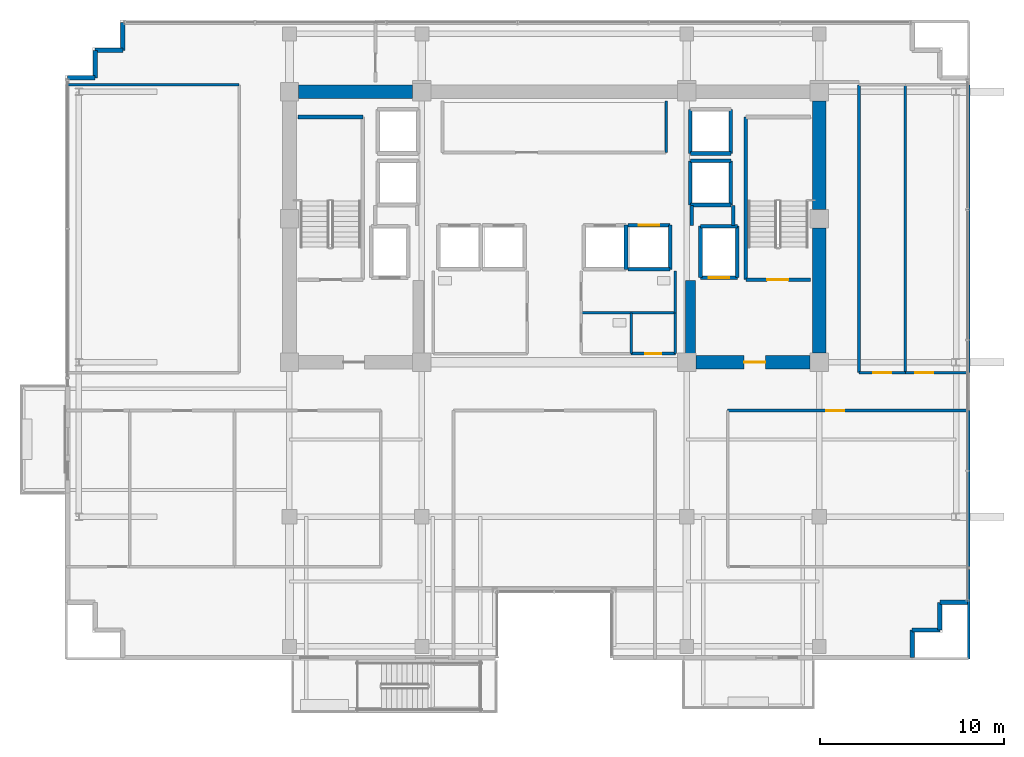
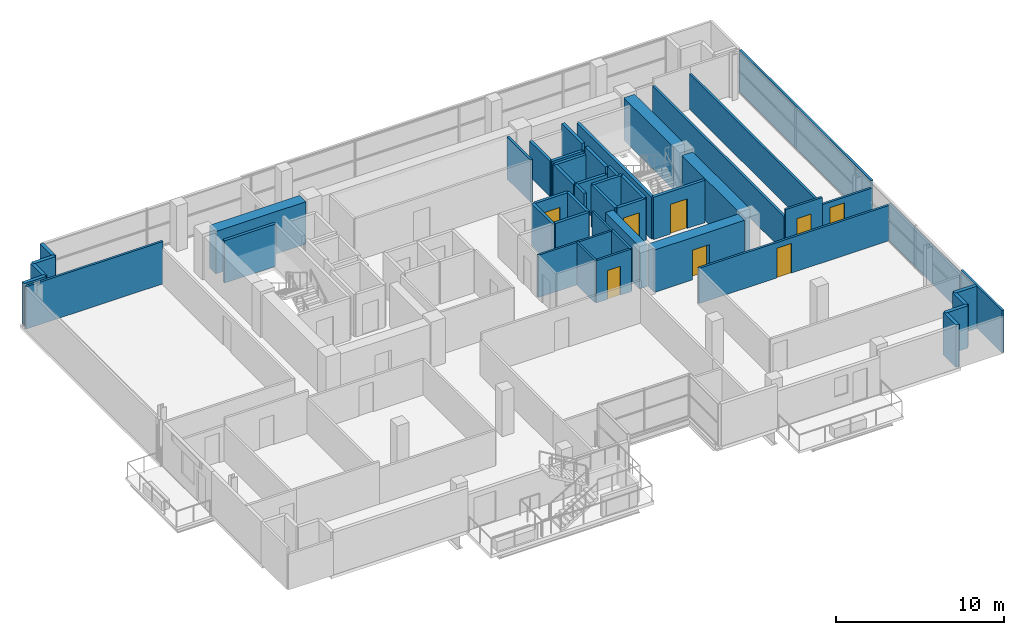
# One storey, part 18 of 23: 48 walls, 8 doors, 8 openings.
"""IFC4 building model written with IfcOpenShell, lengths in metres."""

from ifc_helpers import new_model, si_unit, direction, frame, frame_2d, origin, place, context, subcontext, project, spatial, rectangle, extrude, source, transform, mapped, material, layer, layer_set, type_object, element, fill, save


model = new_model("IFC4")

# Units and contexts
model_context = context("Model", 3, precision=1e-05, world=origin(), true_north=direction((0.0, 1.0)))
body_context = subcontext(model_context, "Body", "Model", "MODEL_VIEW")
ifc_project = project(units=[si_unit("LENGTHUNIT", "METRE"), si_unit("AREAUNIT", "SQUARE_METRE"), si_unit("VOLUMEUNIT", "CUBIC_METRE"), si_unit("PLANEANGLEUNIT", "RADIAN"), si_unit("MASSUNIT", "GRAM", prefix="KILO")], contexts=[model_context])

# Site, building, storey
site_placement = place(None, origin())
site = spatial("IfcSite", under=ifc_project, at=site_placement, CompositionType="ELEMENT")
building_placement = place(site_placement, origin())
building = spatial("IfcBuilding", under=site, at=building_placement, Name="Zarnakvel Exchange Tower", CompositionType="ELEMENT")
storey_placement = place(building_placement, frame((0.0, 0.0, 146.199951171875)))
storey = spatial("IfcBuildingStorey", under=building, at=storey_placement, Name="L40", CompositionType="ELEMENT", Elevation=146.199951171875)

# Walls
ifc_material_1 = material(Name="Concrete C60/75", Category="concrete")
ifc_layer_1 = layer(ifc_material_1, 0.75)
ifc_layer_set_1 = layer_set([ifc_layer_1], Name="Concrete C60/75")
wall_type_1 = type_object("IfcWallType", Name="CW-C3", PredefinedType="SHEAR", material=ifc_layer_set_1)
wall_1_placement = place(storey_placement, frame((-13.89990234375, 13.5, 0.0), z_axis=(0.0, 0.0, 1.0), x_axis=(1.0, 0.0, 0.0)))
element("IfcWall", 1, at=wall_1_placement, inside=storey, type_object=wall_type_1, Name="L40 Rear Core Shear Wall N1 (CW-C3)", PredefinedType="SHEAR", context=body_context, shape_type="SweptSolid", body=[
    extrude(rectangle(XDim=6.199951171875, YDim=0.75, at=frame_2d((3.10009765625, 0.0))), origin(), (0.0, 0.0, 1.0), 3.074951171875),
])
wall_2_placement = place(storey_placement, frame((14.39990234375, -0.699951171875, 0.0), z_axis=(0.0, 0.0, 1.0), x_axis=(0.0, 1.0, 0.0)))
element("IfcWall", 2, at=wall_2_placement, inside=storey, type_object=wall_type_1, Name="L40 Rear Core Shear Wall E1 (CW-C3)", PredefinedType="SHEAR", context=body_context, shape_type="SweptSolid", body=[
    extrude(rectangle(XDim=6.800048828125, YDim=0.75, at=frame_2d((3.39990234375, 0.0))), origin(), (0.0, 0.0, 1.0), 3.074951171875),
])
wall_3_placement = place(storey_placement, frame((14.39990234375, 7.10009765625, 0.0), z_axis=(0.0, 0.0, 1.0), x_axis=(0.0, 1.0, 0.0)))
element("IfcWall", 3, at=wall_3_placement, inside=storey, type_object=wall_type_1, Name="L40 Rear Core Shear Wall E2 (CW-C3)", PredefinedType="SHEAR", context=body_context, shape_type="SweptSolid", body=[
    extrude(rectangle(XDim=5.89990234375, YDim=0.75, at=frame_2d((2.949951171875, 0.0))), origin(), (0.0, 0.0, 1.0), 3.074951171875),
])

# Wall, opening, door
wall_4_placement = place(storey_placement, frame((13.89990234375, -1.199951171875, 0.0), z_axis=(0.0, 0.0, 1.0), x_axis=(-1.0, 0.0, 0.0)))
wall_4 = element("IfcWall", 4, at=wall_4_placement, inside=storey, type_object=wall_type_1, Name="L40 Rear Core Shear Wall SE (CW-C3)", PredefinedType="SHEAR", context=body_context, shape_type="SweptSolid", body=[
    extrude(rectangle(XDim=6.199951171875, YDim=0.75, at=frame_2d((3.10009765625, 0.0))), origin(), (0.0, 0.0, 1.0), 3.074951171875),
])
opening_1_placement = place(wall_4_placement, frame((2.425048828125, 0.0, 0.0)))
opening_1 = element("IfcOpeningElement", 5, at=opening_1_placement, cuts=wall_4, Name="Opening D-L40-04", PredefinedType="OPENING", context=body_context, shape_type="SweptSolid", body=[
    extrude(rectangle(XDim=1.14990234375, YDim=2.14990234375, at=frame_2d((0.574951171875, 1.074951171875))), frame((0.0, 0.385009765625, 0.0), z_axis=(0.0, -1.0, 0.0), x_axis=(1.0, 0.0, 0.0)), (0.0, 0.0, 1.0), 0.77001953125),
])
ifc_material_2 = material(Name="Painted Galvanised Steel S355", Category="steel")
door_type_1 = type_object("IfcDoorType", Name="DT-04", OperationType="NOTDEFINED", PredefinedType="DOOR", material=ifc_material_2)
shared_shape_1 = source(origin(), body_context, "Body", "SweptSolid", [
    extrude(rectangle(XDim=1.14990234375, YDim=2.14990234375, at=frame_2d((0.574951171875, 1.074951171875))), frame((0.0, 0.02490234375, 0.0), z_axis=(0.0, -1.0, 0.0), x_axis=(1.0, 0.0, 0.0)), (0.0, 0.0, 1.0), 0.050048828125),
])
door_1_placement = place(opening_1_placement, origin())
door_1 = element("IfcDoor", 6, at=door_1_placement, inside=storey, type_object=door_type_1, Name="L40 Firefighting Lobby East Door D-L40-04", OperationType="SINGLE_SWING_LEFT", OverallHeight=2.14990234375, OverallWidth=1.14990234375, PredefinedType="DOOR", context=body_context, shape_type="MappedRepresentation", body=[
    mapped(shared_shape_1, transform((0.0, 0.0, 0.0), x_axis=(1.0, 0.0, 0.0), y_axis=(0.0, 1.0, 0.0), z_axis=(0.0, 0.0, 1.0), scale=1.0)),
])
fill(opening_1, door_1)

# Walls
ifc_layer_2 = layer(ifc_material_1, 0.550048828125)
ifc_layer_set_2 = layer_set([ifc_layer_2], Name="Concrete C60/75")
wall_type_2 = type_object("IfcWallType", Name="CW-C4", PredefinedType="SHEAR", material=ifc_layer_set_2)
wall_5_placement = place(storey_placement, frame((7.39990234375, -0.824951171875, 0.0), z_axis=(0.0, 0.0, 1.0), x_axis=(0.0, 1.0, 0.0)))
element("IfcWall", 7, at=wall_5_placement, inside=storey, type_object=wall_type_2, Name="L40 Rear Core Shear Wall IE (CW-C4)", PredefinedType="SHEAR", context=body_context, shape_type="SweptSolid", body=[
    extrude(rectangle(XDim=4.074951171875, YDim=0.550048828125, at=frame_2d((2.03759765625, 0.0))), origin(), (0.0, 0.0, 1.0), 3.074951171875),
])
ifc_material_3 = material(Name="Precast concrete C40/50", Category="concrete")
ifc_layer_3 = layer(ifc_material_3, 0.239990234375)
ifc_layer_set_3 = layer_set([ifc_layer_3], Name="Precast concrete C40/50")
wall_type_3 = type_object("IfcWallType", Name="EW-02", PredefinedType="SOLIDWALL", material=ifc_layer_set_3)
for number, where, z_axis, x_axis, name in (
    (8, (-24.9599609375, 14.260009765625, 0.0), (0.0, 0.0, 1.0), (-1.0, 0.0, 0.0), "L40 Exterior Precast Spandrel Wall EWC-L40-03 (EW-02)"),
    (9, (-24.9599609375, 15.760009765625, 0.0), (0.0, 0.0, 1.0), (0.0, -1.0, 0.0), "L40 Exterior Precast Spandrel Wall EWC-L40-04 (EW-02)"),
    (10, (-23.4599609375, 15.760009765625, 0.0), (0.0, 0.0, 1.0), (-1.0, 0.0, 0.0), "L40 Exterior Precast Spandrel Wall EWC-L40-05 (EW-02)"),
    (11, (-23.4599609375, 17.260009765625, 0.0), (0.0, 0.0, 1.0), (0.0, -1.0, 0.0), "L40 Exterior Precast Spandrel Wall EWC-L40-06 (EW-02)"),
    (12, (20.9599609375, -14.260009765625, 0.0), (0.0, 0.0, 1.0), (1.0, 0.0, 0.0), "L40 Exterior Precast Spandrel Wall EWC-L40-11 (EW-02)"),
    (13, (20.9599609375, -15.760009765625, 0.0), (0.0, 0.0, 1.0), (0.0, 1.0, 0.0), "L40 Exterior Precast Spandrel Wall EWC-L40-12 (EW-02)"),
    (14, (19.4599609375, -15.760009765625, 0.0), (0.0, 0.0, 1.0), (1.0, 0.0, 0.0), "L40 Exterior Precast Spandrel Wall EWC-L40-13 (EW-02)"),
    (15, (19.4599609375, -17.260009765625, 0.0), (0.0, 0.0, 1.0), (0.0, 1.0, 0.0), "L40 Exterior Precast Spandrel Wall EWC-L40-14 (EW-02)"),
):
    element("IfcWall", number, at=place(storey_placement, frame(where, z_axis=z_axis, x_axis=x_axis)), inside=storey, type_object=wall_type_3, Name=name, PredefinedType="SOLIDWALL", context=body_context, shape_type="SweptSolid", body=[
        extrude(rectangle(XDim=1.5, YDim=0.239990234375, at=frame_2d((0.75, 0.0))), origin(), (0.0, 0.0, 1.0), 3.074951171875),
    ])
ifc_material_4 = material(Name="Fire-Rated Gypsum Stud Partition", Category="gypsum")
ifc_layer_4 = layer(ifc_material_4, 0.14990234375)
ifc_layer_set_4 = layer_set([ifc_layer_4], Name="Fire-Rated Gypsum Stud Partition")
wall_type_4 = type_object("IfcWallType", Name="PT-01", PredefinedType="PARTITIONING", material=ifc_layer_set_4)
wall_6_placement = place(storey_placement, frame((6.080078125, 13.0, 0.0), z_axis=(0.0, 0.0, 1.0), x_axis=(0.0, -1.0, 0.0)))
element("IfcWall", 16, at=wall_6_placement, inside=storey, type_object=wall_type_4, Name="L40 Partition Wall PWALL-L40-013 (PT-01)", PredefinedType="PARTITIONING", context=body_context, shape_type="SweptSolid", body=[
    extrude(rectangle(XDim=2.800048828125, YDim=0.14990234375, at=frame_2d((1.39990234375, 0.0))), origin(), (0.0, 0.0, 1.0), 3.074951171875),
])

# Wall, opening, door
wall_7_placement = place(storey_placement, frame((6.580078125, -0.72998046875, 0.0), z_axis=(0.0, 0.0, 1.0), x_axis=(-1.0, 0.0, 0.0)))
wall_7 = element("IfcWall", 17, at=wall_7_placement, inside=storey, type_object=wall_type_4, Name="L40 Partition Wall PWALL-L40-023 (PT-01)", PredefinedType="PARTITIONING", context=body_context, shape_type="SweptSolid", body=[
    extrude(rectangle(XDim=2.400146484375, YDim=0.14990234375, at=frame_2d((1.2001953125, 0.0))), origin(), (0.0, 0.0, 1.0), 3.074951171875),
])
opening_2_placement = place(wall_7_placement, frame((0.760009765625, 0.0, 0.0)))
opening_2 = element("IfcOpeningElement", 18, at=opening_2_placement, cuts=wall_7, Name="Opening D-L40-09", PredefinedType="OPENING", context=body_context, shape_type="SweptSolid", body=[
    extrude(rectangle(XDim=0.8798828125, YDim=2.10009765625, at=frame_2d((0.43994140625, 1.050048828125))), frame((0.0, 0.0849609375, 0.0), z_axis=(0.0, -1.0, 0.0), x_axis=(1.0, 0.0, 0.0)), (0.0, 0.0, 1.0), 0.169921875),
])
door_type_2 = type_object("IfcDoorType", Name="DT-08", OperationType="NOTDEFINED", PredefinedType="DOOR", material=ifc_material_2)
shared_shape_2 = source(origin(), body_context, "Body", "SweptSolid", [
    extrude(rectangle(XDim=0.8798828125, YDim=2.10009765625, at=frame_2d((0.43994140625, 1.050048828125))), frame((0.0, 0.02490234375, 0.0), z_axis=(0.0, -1.0, 0.0), x_axis=(1.0, 0.0, 0.0)), (0.0, 0.0, 1.0), 0.050048828125),
])
door_2_placement = place(opening_2_placement, origin())
door_2 = element("IfcDoor", 19, at=door_2_placement, inside=storey, type_object=door_type_2, Name="L40 Cleaners Store Door D-L40-09", OperationType="SINGLE_SWING_RIGHT", OverallHeight=2.10009765625, OverallWidth=0.8798828125, PredefinedType="DOOR", context=body_context, shape_type="MappedRepresentation", body=[
    mapped(shared_shape_2, transform((0.0, 0.0, 0.0), x_axis=(1.0, 0.0, 0.0), y_axis=(0.0, 1.0, 0.0), z_axis=(0.0, 0.0, 1.0), scale=1.0)),
])
fill(opening_2, door_2)

# Wall
wall_8_placement = place(storey_placement, frame((6.580078125, 1.47998046875, 0.0), z_axis=(0.0, 0.0, 1.0), x_axis=(0.0, -1.0, 0.0)))
element("IfcWall", 20, at=wall_8_placement, inside=storey, type_object=wall_type_4, Name="L40 Partition Wall PWALL-L40-024 (PT-01)", PredefinedType="PARTITIONING", context=body_context, shape_type="SweptSolid", body=[
    extrude(rectangle(XDim=2.2099609375, YDim=0.14990234375, at=frame_2d((1.10498046875, 0.0))), origin(), (0.0, 0.0, 1.0), 3.074951171875),
])

# Wall, opening, door
wall_9_placement = place(storey_placement, frame((9.429931640625, -3.830078125, 0.0), z_axis=(0.0, 0.0, 1.0), x_axis=(1.0, 0.0, 0.0)))
wall_9 = element("IfcWall", 21, at=wall_9_placement, inside=storey, type_object=wall_type_4, Name="L40 Partition Wall PWALL-L40-039 (PT-01)", PredefinedType="PARTITIONING", context=body_context, shape_type="SweptSolid", body=[
    extrude(rectangle(XDim=13.10009765625, YDim=0.14990234375, at=frame_2d((6.550048828125, 0.0))), origin(), (0.0, 0.0, 1.0), 2.56494140625),
])
opening_3_placement = place(wall_9_placement, frame((5.360107421875, 0.0, 0.0)))
opening_3 = element("IfcOpeningElement", 22, at=opening_3_placement, cuts=wall_9, Name="Opening D-L40-14", PredefinedType="OPENING", context=body_context, shape_type="SweptSolid", body=[
    extrude(rectangle(XDim=0.97998046875, YDim=2.14990234375, at=frame_2d((0.489990234375, 1.074951171875))), frame((0.0, 0.0849609375, 0.0), z_axis=(0.0, -1.0, 0.0), x_axis=(1.0, 0.0, 0.0)), (0.0, 0.0, 1.0), 0.169921875),
])
ifc_material_5 = material(Name="Timber Acoustic Veneer", Category="wood")
door_type_3 = type_object("IfcDoorType", Name="DT-05", OperationType="NOTDEFINED", PredefinedType="DOOR", material=ifc_material_5)
shared_shape_3 = source(origin(), body_context, "Body", "SweptSolid", [
    extrude(rectangle(XDim=0.97998046875, YDim=2.14990234375, at=frame_2d((0.489990234375, 1.074951171875))), frame((0.0, 0.02490234375, 0.0), z_axis=(0.0, -1.0, 0.0), x_axis=(1.0, 0.0, 0.0)), (0.0, 0.0, 1.0), 0.050048828125),
])
door_3_placement = place(opening_3_placement, origin())
door_3 = element("IfcDoor", 23, at=door_3_placement, inside=storey, type_object=door_type_3, Name="L40 Executive Conference Room Door D-L40-14", OperationType="SINGLE_SWING_LEFT", OverallHeight=2.14990234375, OverallWidth=0.97998046875, PredefinedType="DOOR", context=body_context, shape_type="MappedRepresentation", body=[
    mapped(shared_shape_3, transform((0.0, 0.0, 0.0), x_axis=(1.0, 0.0, 0.0), y_axis=(0.0, 1.0, 0.0), z_axis=(0.0, 0.0, 1.0), scale=1.0)),
])
fill(opening_3, door_3)

# Walls
wall_10_placement = place(storey_placement, frame((22.530029296875, -3.830078125, 0.0), z_axis=(0.0, 0.0, 1.0), x_axis=(0.0, -1.0, 0.0)))
element("IfcWall", 24, at=wall_10_placement, inside=storey, type_object=wall_type_4, Name="L40 Partition Wall PWALL-L40-041 (PT-01)", PredefinedType="PARTITIONING", context=body_context, shape_type="SweptSolid", body=[
    extrude(rectangle(XDim=8.489990234375, YDim=0.14990234375, at=frame_2d((4.2451171875, 0.0))), origin(), (0.0, 0.0, 1.0), 2.6650390625),
])
wall_11_placement = place(storey_placement, frame((22.530029296875, -12.47998046875, 0.0), z_axis=(0.0, 0.0, 1.0), x_axis=(0.0, -1.0, 0.0)))
element("IfcWall", 25, at=wall_11_placement, inside=storey, type_object=wall_type_4, Name="L40 Partition Wall PWALL-L40-044 (PT-01)", PredefinedType="PARTITIONING", context=body_context, shape_type="SweptSolid", body=[
    extrude(rectangle(XDim=4.85009765625, YDim=0.14990234375, at=frame_2d((2.425048828125, 0.0))), origin(), (0.0, 0.0, 1.0), 3.074951171875),
])
wall_12_placement = place(storey_placement, frame((-26.530029296875, 13.8798828125, 0.0), z_axis=(0.0, 0.0, 1.0), x_axis=(1.0, 0.0, 0.0)))
element("IfcWall", 26, at=wall_12_placement, inside=storey, type_object=wall_type_4, Name="L40 Partition Wall PWALL-L40-050 (PT-01)", PredefinedType="PARTITIONING", context=body_context, shape_type="SweptSolid", body=[
    extrude(rectangle(XDim=9.400146484375, YDim=0.14990234375, at=frame_2d((4.7001953125, 0.0))), origin(), (0.0, 0.0, 1.0), 3.074951171875),
])

# Wall, opening, door
wall_13_placement = place(storey_placement, frame((19.0830078125, -1.77001953125, 0.0), z_axis=(0.0, 0.0, 1.0), x_axis=(-1.0, 0.0, 0.0)))
wall_13 = element("IfcWall", 27, at=wall_13_placement, inside=storey, type_object=wall_type_4, Name="L40 Partition Wall PWALL-L40-053 (PT-01)", PredefinedType="PARTITIONING", context=body_context, shape_type="SweptSolid", body=[
    extrude(rectangle(XDim=2.52001953125, YDim=0.14990234375, at=frame_2d((1.260009765625, 0.0))), origin(), (0.0, 0.0, 1.0), 3.074951171875),
])
opening_4_placement = place(wall_13_placement, frame((0.77001953125, 0.0, 0.0)))
opening_4 = element("IfcOpeningElement", 28, at=opening_4_placement, cuts=wall_13, Name="Opening D-L40-18", PredefinedType="OPENING", context=body_context, shape_type="SweptSolid", body=[
    extrude(rectangle(XDim=0.97998046875, YDim=2.14990234375, at=frame_2d((0.489990234375, 1.074951171875))), frame((0.0, 0.0849609375, 0.0), z_axis=(0.0, -1.0, 0.0), x_axis=(1.0, 0.0, 0.0)), (0.0, 0.0, 1.0), 0.169921875),
])
door_4_placement = place(opening_4_placement, origin())
door_4 = element("IfcDoor", 29, at=door_4_placement, inside=storey, type_object=door_type_3, Name="L40 Briefing Room Door D-L40-18", OperationType="SINGLE_SWING_LEFT", OverallHeight=2.14990234375, OverallWidth=0.97998046875, PredefinedType="DOOR", context=body_context, shape_type="MappedRepresentation", body=[
    mapped(shared_shape_3, transform((0.0, 0.0, 0.0), x_axis=(1.0, 0.0, 0.0), y_axis=(0.0, 1.0, 0.0), z_axis=(0.0, 0.0, 1.0), scale=1.0)),
])
fill(opening_4, door_4)

# Walls
for number, where, z_axis, x_axis, name in (
    (30, (16.56298828125, -1.77001953125, 0.0), (0.0, 0.0, 1.0), (0.0, 1.0, 0.0), "L40 Partition Wall PWALL-L40-055 (PT-01)"),
    (31, (19.0830078125, 13.8798828125, 0.0), (0.0, 0.0, 1.0), (0.0, -1.0, 0.0), "L40 Partition Wall PWALL-L40-056 (PT-01)"),
):
    element("IfcWall", number, at=place(storey_placement, frame(where, z_axis=z_axis, x_axis=x_axis)), inside=storey, type_object=wall_type_4, Name=name, PredefinedType="PARTITIONING", context=body_context, shape_type="SweptSolid", body=[
        extrude(rectangle(XDim=15.64990234375, YDim=0.14990234375, at=frame_2d((7.824951171875, 0.0))), origin(), (0.0, 0.0, 1.0), 2.56494140625),
    ])

# Wall, opening, door
wall_14_placement = place(storey_placement, frame((22.530029296875, -1.77001953125, 0.0), z_axis=(0.0, 0.0, 1.0), x_axis=(-1.0, 0.0, 0.0)))
wall_14 = element("IfcWall", 32, at=wall_14_placement, inside=storey, type_object=wall_type_4, Name="L40 Partition Wall PWALL-L40-057 (PT-01)", PredefinedType="PARTITIONING", context=body_context, shape_type="SweptSolid", body=[
    extrude(rectangle(XDim=3.447021484375, YDim=0.14990234375, at=frame_2d((1.7236328125, 0.0))), origin(), (0.0, 0.0, 1.0), 2.56494140625),
])
opening_5_placement = place(wall_14_placement, frame((1.93408203125, 0.0, 0.0)))
opening_5 = element("IfcOpeningElement", 33, at=opening_5_placement, cuts=wall_14, Name="Opening D-L40-19", PredefinedType="OPENING", context=body_context, shape_type="SweptSolid", body=[
    extrude(rectangle(XDim=0.97998046875, YDim=2.14990234375, at=frame_2d((0.489990234375, 1.074951171875))), frame((0.0, 0.0849609375, 0.0), z_axis=(0.0, -1.0, 0.0), x_axis=(1.0, 0.0, 0.0)), (0.0, 0.0, 1.0), 0.169921875),
])
door_5_placement = place(opening_5_placement, origin())
door_5 = element("IfcDoor", 34, at=door_5_placement, inside=storey, type_object=door_type_3, Name="L40 Observation Lounge Door D-L40-19", OperationType="SINGLE_SWING_RIGHT", OverallHeight=2.14990234375, OverallWidth=0.97998046875, PredefinedType="DOOR", context=body_context, shape_type="MappedRepresentation", body=[
    mapped(shared_shape_3, transform((0.0, 0.0, 0.0), x_axis=(1.0, 0.0, 0.0), y_axis=(0.0, 1.0, 0.0), z_axis=(0.0, 0.0, 1.0), scale=1.0)),
])
fill(opening_5, door_5)

# Walls
wall_15_placement = place(storey_placement, frame((22.530029296875, 13.8798828125, 0.0), z_axis=(0.0, 0.0, 1.0), x_axis=(0.0, -1.0, 0.0)))
element("IfcWall", 35, at=wall_15_placement, inside=storey, type_object=wall_type_4, Name="L40 Partition Wall PWALL-L40-059 (PT-01)", PredefinedType="PARTITIONING", context=body_context, shape_type="SweptSolid", body=[
    extrude(rectangle(XDim=15.64990234375, YDim=0.14990234375, at=frame_2d((7.824951171875, 0.0))), origin(), (0.0, 0.0, 1.0), 3.074951171875),
])
ifc_layer_5 = layer(ifc_material_4, 0.179931640625)
ifc_layer_set_5 = layer_set([ifc_layer_5], Name="Fire-Rated Gypsum Stud Partition")
wall_type_5 = type_object("IfcWallType", Name="PT-02", PredefinedType="PARTITIONING", material=ifc_layer_set_5)
wall_16_placement = place(storey_placement, frame((7.469970703125, 6.239990234375, 0.0), z_axis=(0.0, 0.0, 1.0), x_axis=(0.0, 1.0, 0.0)))
element("IfcWall", 36, at=wall_16_placement, inside=storey, type_object=wall_type_5, Name="L40 Partition Wall PWALL-L40-009 (PT-02)", PredefinedType="PARTITIONING", context=body_context, shape_type="SweptSolid", body=[
    extrude(rectangle(XDim=1.090087890625, YDim=0.179931640625, at=frame_2d((0.544921875, 0.0))), origin(), (0.0, 0.0, 1.0), 2.56494140625),
])
wall_17_placement = place(storey_placement, frame((9.72998046875, 7.330078125, 0.0), z_axis=(0.0, 0.0, 1.0), x_axis=(0.0, -1.0, 0.0)))
element("IfcWall", 37, at=wall_17_placement, inside=storey, type_object=wall_type_5, Name="L40 Partition Wall PWALL-L40-010 (PT-02)", PredefinedType="PARTITIONING", context=body_context, shape_type="SweptSolid", body=[
    extrude(rectangle(XDim=1.090087890625, YDim=0.179931640625, at=frame_2d((0.544921875, 0.0))), origin(), (0.0, 0.0, 1.0), 3.074951171875),
])
ifc_material_6 = material(Name="Moisture-Resistant Tile-Faced Partition", Category="gypsum")
ifc_layer_6 = layer(ifc_material_6, 0.135009765625)
ifc_layer_set_6 = layer_set([ifc_layer_6], Name="Moisture-Resistant Tile-Faced Partition")
wall_type_6 = type_object("IfcWallType", Name="PT-03", PredefinedType="PARTITIONING", material=ifc_layer_set_6)
wall_18_placement = place(storey_placement, frame((6.580078125, 1.47998046875, 0.0), z_axis=(0.0, 0.0, 1.0), x_axis=(-1.0, 0.0, 0.0)))
element("IfcWall", 38, at=wall_18_placement, inside=storey, type_object=wall_type_6, Name="L40 Partition Wall PWALL-L40-017 (PT-03)", PredefinedType="PARTITIONING", context=body_context, shape_type="SweptSolid", body=[
    extrude(rectangle(XDim=5.110107421875, YDim=0.135009765625, at=frame_2d((2.55517578125, 0.0))), origin(), (0.0, 0.0, 1.0), 3.074951171875),
])
wall_19_placement = place(storey_placement, frame((6.580078125, 3.760009765625, 0.0), z_axis=(0.0, 0.0, 1.0), x_axis=(0.0, -1.0, 0.0)))
element("IfcWall", 39, at=wall_19_placement, inside=storey, type_object=wall_type_6, Name="L40 Partition Wall PWALL-L40-019 (PT-03)", PredefinedType="PARTITIONING", context=body_context, shape_type="SweptSolid", body=[
    extrude(rectangle(XDim=2.280029296875, YDim=0.135009765625, at=frame_2d((1.14013671875, 0.0))), origin(), (0.0, 0.0, 1.0), 3.074951171875),
])
wall_20_placement = place(storey_placement, frame((4.179931640625, 1.47998046875, 0.0), z_axis=(0.0, 0.0, 1.0), x_axis=(0.0, -1.0, 0.0)))
element("IfcWall", 40, at=wall_20_placement, inside=storey, type_object=wall_type_6, Name="L40 Partition Wall PWALL-L40-022 (PT-03)", PredefinedType="PARTITIONING", context=body_context, shape_type="SweptSolid", body=[
    extrude(rectangle(XDim=2.2099609375, YDim=0.135009765625, at=frame_2d((1.10498046875, 0.0))), origin(), (0.0, 0.0, 1.0), 3.074951171875),
])

# Wall, opening, door
ifc_material_7 = material(Name="Concrete C40/50", Category="concrete")
ifc_layer_7 = layer(ifc_material_7, 0.199951171875)
ifc_layer_set_7 = layer_set([ifc_layer_7], Name="Concrete C40/50")
wall_type_7 = type_object("IfcWallType", Name="SW-01", PredefinedType="SOLIDWALL", material=ifc_layer_set_7)
wall_21_placement = place(storey_placement, frame((9.949951171875, 3.39990234375, 0.0), z_axis=(0.0, 0.0, 1.0), x_axis=(-1.0, 0.0, 0.0)))
wall_21 = element("IfcWall", 41, at=wall_21_placement, inside=storey, type_object=wall_type_7, Name="L40 FL-02 Hoistway Wall South", PredefinedType="SOLIDWALL", context=body_context, shape_type="SweptSolid", body=[
    extrude(rectangle(XDim=2.0, YDim=0.199951171875, at=frame_2d((1.0, 0.0))), origin(), (0.0, 0.0, 1.0), 3.074951171875),
])
opening_6_placement = place(wall_21_placement, frame((0.449951171875, 0.0, 0.0)))
opening_6 = element("IfcOpeningElement", 42, at=opening_6_placement, cuts=wall_21, Name="Opening LD-FL-02-L40", PredefinedType="OPENING", context=body_context, shape_type="SweptSolid", body=[
    extrude(rectangle(XDim=1.10009765625, YDim=2.199951171875, at=frame_2d((0.550048828125, 1.10009765625))), frame((0.0, 0.10986328125, 0.0), z_axis=(0.0, -1.0, 0.0), x_axis=(1.0, 0.0, 0.0)), (0.0, 0.0, 1.0), 0.219970703125),
])
ifc_material_8 = material(Name="Brushed Stainless Steel", Category="steel")
door_type_4 = type_object("IfcDoorType", Name="LDT-01", OperationType="NOTDEFINED", PredefinedType="DOOR", material=ifc_material_8)
shared_shape_4 = source(origin(), body_context, "Body", "SweptSolid", [
    extrude(rectangle(XDim=1.10009765625, YDim=2.199951171875, at=frame_2d((0.550048828125, 1.10009765625))), frame((0.0, 0.02490234375, 0.0), z_axis=(0.0, -1.0, 0.0), x_axis=(1.0, 0.0, 0.0)), (0.0, 0.0, 1.0), 0.050048828125),
])
door_6_placement = place(opening_6_placement, origin())
door_6 = element("IfcDoor", 43, at=door_6_placement, inside=storey, type_object=door_type_4, Name="L40 FL-02 Lift Landing Door LD-FL-02-L40", OperationType="DOUBLE_DOOR_SLIDING", OverallHeight=2.199951171875, OverallWidth=1.10009765625, PredefinedType="DOOR", context=body_context, shape_type="MappedRepresentation", body=[
    mapped(shared_shape_4, transform((0.0, 0.0, 0.0), x_axis=(1.0, 0.0, 0.0), y_axis=(0.0, 1.0, 0.0), z_axis=(0.0, 0.0, 1.0), scale=1.0)),
])
fill(opening_6, door_6)

# Walls
wall_22_placement = place(storey_placement, frame((7.949951171875, 6.199951171875, 0.0), z_axis=(0.0, 0.0, 1.0), x_axis=(1.0, 0.0, 0.0)))
element("IfcWall", 44, at=wall_22_placement, inside=storey, type_object=wall_type_7, Name="L40 FL-02 Hoistway Wall North", PredefinedType="SOLIDWALL", context=body_context, shape_type="SweptSolid", body=[
    extrude(rectangle(XDim=2.0, YDim=0.199951171875, at=frame_2d((1.0, 0.0))), origin(), (0.0, 0.0, 1.0), 3.074951171875),
])
for number, where, z_axis, x_axis, name in (
    (45, (7.949951171875, 3.39990234375, 0.0), (0.0, 0.0, 1.0), (0.0, 1.0, 0.0), "L40 FL-02 Hoistway Wall West"),
    (46, (9.949951171875, 6.199951171875, 0.0), (0.0, 0.0, 1.0), (0.0, -1.0, 0.0), "L40 FL-02 Hoistway Wall East"),
):
    element("IfcWall", number, at=place(storey_placement, frame(where, z_axis=z_axis, x_axis=x_axis)), inside=storey, type_object=wall_type_7, Name=name, PredefinedType="SOLIDWALL", context=body_context, shape_type="SweptSolid", body=[
        extrude(rectangle(XDim=2.800048828125, YDim=0.199951171875, at=frame_2d((1.39990234375, 0.0))), origin(), (0.0, 0.0, 1.0), 3.074951171875),
    ])
wall_23_placement = place(storey_placement, frame((3.89990234375, 6.25, 0.0), z_axis=(0.0, 0.0, 1.0), x_axis=(0.0, -1.0, 0.0)))
element("IfcWall", 47, at=wall_23_placement, inside=storey, type_object=wall_type_7, Name="L40 PL-07 Hoistway Wall East", PredefinedType="SOLIDWALL", context=body_context, shape_type="SweptSolid", body=[
    extrude(rectangle(XDim=2.39990234375, YDim=0.199951171875, at=frame_2d((1.199951171875, 0.0))), origin(), (0.0, 0.0, 1.0), 3.074951171875),
])
wall_24_placement = place(storey_placement, frame((6.300048828125, 3.85009765625, 0.0), z_axis=(0.0, 0.0, 1.0), x_axis=(-1.0, 0.0, 0.0)))
element("IfcWall", 48, at=wall_24_placement, inside=storey, type_object=wall_type_7, Name="L40 PL-08 Hoistway Wall South", PredefinedType="SOLIDWALL", context=body_context, shape_type="SweptSolid", body=[
    extrude(rectangle(XDim=2.300048828125, YDim=0.199951171875, at=frame_2d((1.14990234375, 0.0))), origin(), (0.0, 0.0, 1.0), 3.074951171875),
])

# Wall, opening, door
wall_25_placement = place(storey_placement, frame((4.0, 6.25, 0.0), z_axis=(0.0, 0.0, 1.0), x_axis=(1.0, 0.0, 0.0)))
wall_25 = element("IfcWall", 49, at=wall_25_placement, inside=storey, type_object=wall_type_7, Name="L40 PL-08 Hoistway Wall North", PredefinedType="SOLIDWALL", context=body_context, shape_type="SweptSolid", body=[
    extrude(rectangle(XDim=2.300048828125, YDim=0.199951171875, at=frame_2d((1.14990234375, 0.0))), origin(), (0.0, 0.0, 1.0), 3.074951171875),
])
opening_7_placement = place(wall_25_placement, frame((0.60009765625, 0.0, 0.0)))
opening_7 = element("IfcOpeningElement", 50, at=opening_7_placement, cuts=wall_25, Name="Opening LD-PL-08-L40", PredefinedType="OPENING", context=body_context, shape_type="SweptSolid", body=[
    extrude(rectangle(XDim=1.10009765625, YDim=2.199951171875, at=frame_2d((0.550048828125, 1.10009765625))), frame((0.0, 0.10986328125, 0.0), z_axis=(0.0, -1.0, 0.0), x_axis=(1.0, 0.0, 0.0)), (0.0, 0.0, 1.0), 0.219970703125),
])
ifc_material_9 = material(Name="Architectural Bronze Anodised Aluminium", Category="aluminium")
door_type_5 = type_object("IfcDoorType", Name="LDT-02", OperationType="NOTDEFINED", PredefinedType="DOOR", material=ifc_material_9)
door_7_placement = place(opening_7_placement, origin())
door_7 = element("IfcDoor", 51, at=door_7_placement, inside=storey, type_object=door_type_5, Name="L40 PL-08 Lift Landing Door LD-PL-08-L40", OperationType="DOUBLE_DOOR_SLIDING", OverallHeight=2.199951171875, OverallWidth=1.10009765625, PredefinedType="DOOR", context=body_context, shape_type="MappedRepresentation", body=[
    mapped(shared_shape_4, transform((0.0, 0.0, 0.0), x_axis=(1.0, 0.0, 0.0), y_axis=(0.0, 1.0, 0.0), z_axis=(0.0, 0.0, 1.0), scale=1.0)),
])
fill(opening_7, door_7)

# Walls
wall_26_placement = place(storey_placement, frame((6.300048828125, 6.25, 0.0), z_axis=(0.0, 0.0, 1.0), x_axis=(0.0, -1.0, 0.0)))
element("IfcWall", 52, at=wall_26_placement, inside=storey, type_object=wall_type_7, Name="L40 PL-08 Hoistway Wall East", PredefinedType="SOLIDWALL", context=body_context, shape_type="SweptSolid", body=[
    extrude(rectangle(XDim=2.39990234375, YDim=0.199951171875, at=frame_2d((1.199951171875, 0.0))), origin(), (0.0, 0.0, 1.0), 3.074951171875),
])
for number, where, z_axis, x_axis, name in (
    (53, (9.60009765625, 7.35009765625, 0.0), (0.0, 0.0, 1.0), (-1.0, 0.0, 0.0), "L40 PL-11 Hoistway Wall South"),
    (54, (7.39990234375, 9.75, 0.0), (0.0, 0.0, 1.0), (1.0, 0.0, 0.0), "L40 PL-11 Hoistway Wall North"),
):
    element("IfcWall", number, at=place(storey_placement, frame(where, z_axis=z_axis, x_axis=x_axis)), inside=storey, type_object=wall_type_7, Name=name, PredefinedType="SOLIDWALL", context=body_context, shape_type="SweptSolid", body=[
        extrude(rectangle(XDim=2.2001953125, YDim=0.199951171875, at=frame_2d((1.10009765625, 0.0))), origin(), (0.0, 0.0, 1.0), 2.56494140625),
    ])
wall_27_placement = place(storey_placement, frame((7.39990234375, 7.35009765625, 0.0), z_axis=(0.0, 0.0, 1.0), x_axis=(0.0, 1.0, 0.0)))
element("IfcWall", 55, at=wall_27_placement, inside=storey, type_object=wall_type_7, Name="L40 PL-11 Hoistway Wall West", PredefinedType="SOLIDWALL", context=body_context, shape_type="SweptSolid", body=[
    extrude(rectangle(XDim=2.39990234375, YDim=0.199951171875, at=frame_2d((1.199951171875, 0.0))), origin(), (0.0, 0.0, 1.0), 2.56494140625),
])
wall_28_placement = place(storey_placement, frame((9.60009765625, 9.75, 0.0), z_axis=(0.0, 0.0, 1.0), x_axis=(0.0, -1.0, 0.0)))
element("IfcWall", 56, at=wall_28_placement, inside=storey, type_object=wall_type_7, Name="L40 PL-11 Hoistway Wall East", PredefinedType="SOLIDWALL", context=body_context, shape_type="SweptSolid", body=[
    extrude(rectangle(XDim=2.39990234375, YDim=0.199951171875, at=frame_2d((1.199951171875, 0.0))), origin(), (0.0, 0.0, 1.0), 3.074951171875),
])
wall_29_placement = place(storey_placement, frame((9.60009765625, 10.14990234375, 0.0), z_axis=(0.0, 0.0, 1.0), x_axis=(-1.0, 0.0, 0.0)))
element("IfcWall", 57, at=wall_29_placement, inside=storey, type_object=wall_type_7, Name="L40 PL-12 Hoistway Wall South", PredefinedType="SOLIDWALL", context=body_context, shape_type="SweptSolid", body=[
    extrude(rectangle(XDim=2.2001953125, YDim=0.199951171875, at=frame_2d((1.10009765625, 0.0))), origin(), (0.0, 0.0, 1.0), 2.56494140625),
])
wall_30_placement = place(storey_placement, frame((7.39990234375, 10.14990234375, 0.0), z_axis=(0.0, 0.0, 1.0), x_axis=(0.0, 1.0, 0.0)))
element("IfcWall", 58, at=wall_30_placement, inside=storey, type_object=wall_type_7, Name="L40 PL-12 Hoistway Wall West", PredefinedType="SOLIDWALL", context=body_context, shape_type="SweptSolid", body=[
    extrude(rectangle(XDim=2.400146484375, YDim=0.199951171875, at=frame_2d((1.2001953125, 0.0))), origin(), (0.0, 0.0, 1.0), 2.56494140625),
])
wall_31_placement = place(storey_placement, frame((9.60009765625, 12.550048828125, 0.0), z_axis=(0.0, 0.0, 1.0), x_axis=(0.0, -1.0, 0.0)))
element("IfcWall", 59, at=wall_31_placement, inside=storey, type_object=wall_type_7, Name="L40 PL-12 Hoistway Wall East", PredefinedType="SOLIDWALL", context=body_context, shape_type="SweptSolid", body=[
    extrude(rectangle(XDim=2.400146484375, YDim=0.199951171875, at=frame_2d((1.2001953125, 0.0))), origin(), (0.0, 0.0, 1.0), 3.074951171875),
])
ifc_layer_8 = layer(ifc_material_7, 0.199951171875)
ifc_layer_set_8 = layer_set([ifc_layer_8], Name="Concrete C40/50")
wall_type_8 = type_object("IfcWallType", Name="SW-02", PredefinedType="SOLIDWALL", material=ifc_layer_set_8)
wall_32_placement = place(storey_placement, frame((-13.929931640625, 12.1298828125, 0.0), z_axis=(0.0, 0.0, 1.0), x_axis=(1.0, 0.0, 0.0)))
element("IfcWall", 60, at=wall_32_placement, inside=storey, type_object=wall_type_8, Name="L40 Stairwell Core Wall PWALL-L40-002 (SW-02)", PredefinedType="SOLIDWALL", context=body_context, shape_type="SweptSolid", body=[
    extrude(rectangle(XDim=3.52001953125, YDim=0.199951171875, at=frame_2d((1.760009765625, 0.0))), origin(), (0.0, 0.0, 1.0), 3.074951171875),
])

# Wall, opening, door
wall_33_placement = place(storey_placement, frame((13.929931640625, 3.2900390625, 0.0), z_axis=(0.0, 0.0, 1.0), x_axis=(-1.0, 0.0, 0.0)))
wall_33 = element("IfcWall", 61, at=wall_33_placement, inside=storey, type_object=wall_type_8, Name="L40 Stairwell Core Wall PWALL-L40-004 (SW-02)", PredefinedType="SOLIDWALL", context=body_context, shape_type="SweptSolid", body=[
    extrude(rectangle(XDim=3.52001953125, YDim=0.199951171875, at=frame_2d((1.760009765625, 0.0))), origin(), (0.0, 0.0, 1.0), 3.074951171875),
])
opening_8_placement = place(wall_33_placement, frame((1.205078125, 0.0, 0.0)))
opening_8 = element("IfcOpeningElement", 62, at=opening_8_placement, cuts=wall_33, Name="Opening D-L40-02", PredefinedType="OPENING", context=body_context, shape_type="SweptSolid", body=[
    extrude(rectangle(XDim=1.14990234375, YDim=2.14990234375, at=frame_2d((0.574951171875, 1.074951171875))), frame((0.0, 0.10986328125, 0.0), z_axis=(0.0, -1.0, 0.0), x_axis=(1.0, 0.0, 0.0)), (0.0, 0.0, 1.0), 0.219970703125),
])
door_8_placement = place(opening_8_placement, origin())
door_8 = element("IfcDoor", 63, at=door_8_placement, inside=storey, type_object=door_type_1, Name="L40 Stairwell ST-02 Door D-L40-02", OperationType="SINGLE_SWING_LEFT", OverallHeight=2.14990234375, OverallWidth=1.14990234375, PredefinedType="DOOR", context=body_context, shape_type="MappedRepresentation", body=[
    mapped(shared_shape_1, transform((0.0, 0.0, 0.0), x_axis=(1.0, 0.0, 0.0), y_axis=(0.0, 1.0, 0.0), z_axis=(0.0, 0.0, 1.0), scale=1.0)),
])
fill(opening_8, door_8)

# Wall
wall_34_placement = place(storey_placement, frame((10.409912109375, 3.2900390625, 0.0), z_axis=(0.0, 0.0, 1.0), x_axis=(0.0, 1.0, 0.0)))
element("IfcWall", 64, at=wall_34_placement, inside=storey, type_object=wall_type_8, Name="L40 Stairwell Core Wall PWALL-L40-006 (SW-02)", PredefinedType="SOLIDWALL", context=body_context, shape_type="SweptSolid", body=[
    extrude(rectangle(XDim=8.83984375, YDim=0.199951171875, at=frame_2d((4.419921875, 0.0))), origin(), (0.0, 0.0, 1.0), 3.074951171875),
])

save(model, "model.ifc")
